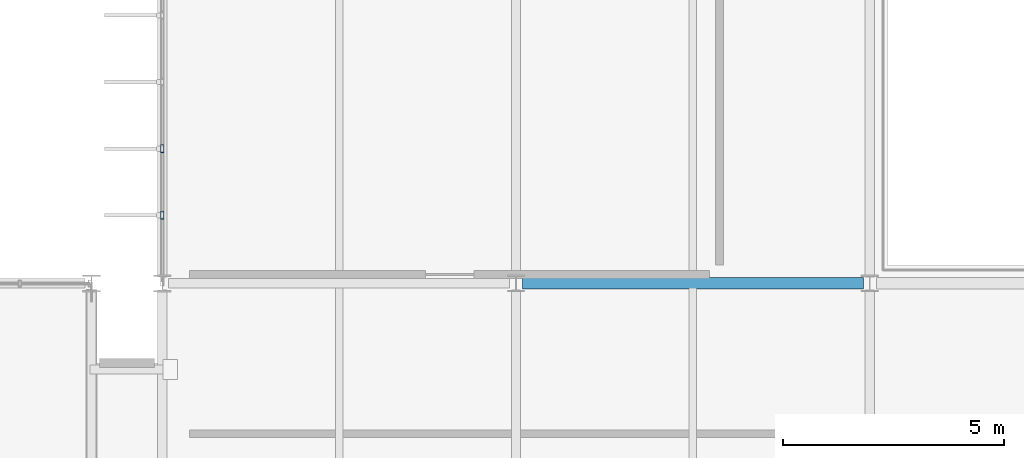
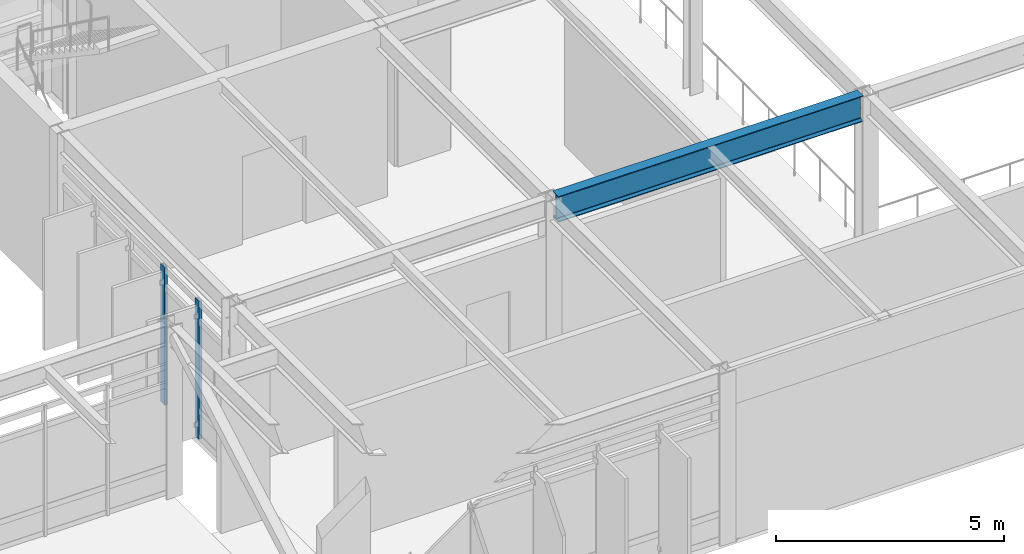
# One storey, part 37 of 104: 2 members, 1 beam, 1 element without a shape of its own.
"""IFC4 building model written with IfcOpenShell, lengths in metres."""

from ifc_helpers import new_model, si_unit, direction, frame, origin, origin_2d, place, context, subcontext, project, spatial, hollow_rectangle, i_section, extrude, material, material_profile, profile_set, type_object, element, aggregate, save


model = new_model("IFC4")

# Units and contexts
model_context = context("Model", 3, precision=1e-05, world=origin(), true_north=direction((0.0, 1.0)))
body_context = subcontext(model_context, "Body", "Model", "MODEL_VIEW")
ifc_project = project(units=[si_unit("LENGTHUNIT", "METRE"), si_unit("AREAUNIT", "SQUARE_METRE"), si_unit("VOLUMEUNIT", "CUBIC_METRE"), si_unit("PLANEANGLEUNIT", "RADIAN"), si_unit("MASSUNIT", "GRAM", prefix="KILO")], contexts=[model_context])

# Site, building, storey
site_placement = place(None, origin())
site = spatial("IfcSite", under=ifc_project, at=site_placement, CompositionType="ELEMENT")
building_placement = place(site_placement, origin())
building = spatial("IfcBuilding", under=site, at=building_placement, Name="Zulena Civic Courthouse", CompositionType="ELEMENT")
storey_placement = place(building_placement, frame((0.0, 0.0, 15.60009765625)))
storey = spatial("IfcBuildingStorey", under=building, at=storey_placement, Name="L03", CompositionType="ELEMENT", Elevation=15.60009765625)

# Curtain wall, members
ifc_material_1 = material(Name="Double-silver low-E laminated solar-control glass", Category="glass")
curtain_wall_type = type_object("IfcCurtainWallType", Name="CW_7528x3690", PredefinedType="USERDEFINED", material=ifc_material_1)
curtain_wall_placement = place(storey_placement, origin())
curtain_wall = element("IfcCurtainWall", 1, at=curtain_wall_placement, inside=storey, type_object=curtain_wall_type, Name="cw:V4:L03:0:1", ObjectType="UNITISED CURTAIN WALL", PredefinedType="USERDEFINED")
ifc_material_2 = material(Name="Bronze anodised thermally broken aluminium AA6063-T6", Category="aluminium")
ifc_material_profile_1 = material_profile(ifc_material_2, hollow_rectangle(XDim=0.074951171875, YDim=0.179931640625, WallThickness=0.0048828125, at=origin_2d()), Name="CWM180X75X5")
ifc_profile_set_1 = profile_set([ifc_material_profile_1], Name="Bronze anodised thermally broken aluminium AA6063-T6")
member_type = type_object("IfcMemberType", Name="CWMullion_180x75", PredefinedType="MULLION", material=ifc_profile_set_1)
member_1_placement = place(storey_placement, frame((68.0, 24.341552734375, 0.0), z_axis=(0.0, 0.0, 1.0), x_axis=(1.0, 0.0, 0.0)))
member_1 = element("IfcMember", 2, at=member_1_placement, type_object=member_type, Name="cw:V4:L03:0:1:mull:1", PredefinedType="MULLION", context=body_context, shape_type="SweptSolid", body=[
    extrude(hollow_rectangle(XDim=0.074951171875, YDim=0.179931640625, WallThickness=0.0048828125, at=origin_2d()), origin(), (0.0, 0.0, 1.0), 3.68994140625),
])
member_2_placement = place(storey_placement, frame((68.0, 25.84716796875, 0.0), z_axis=(0.0, 0.0, 1.0), x_axis=(1.0, 0.0, 0.0)))
member_2 = element("IfcMember", 3, at=member_2_placement, type_object=member_type, Name="cw:V4:L03:0:1:mull:2", PredefinedType="MULLION", context=body_context, shape_type="SweptSolid", body=[
    extrude(hollow_rectangle(XDim=0.074951171875, YDim=0.179931640625, WallThickness=0.0048828125, at=origin_2d()), origin(), (0.0, 0.0, 1.0), 3.68994140625),
])
aggregate(curtain_wall, [member_1, member_2])

# Beam
ifc_material_3 = material(Name="Steel ASTM A992 Grade 50", Category="steel")
ifc_material_profile_2 = material_profile(ifc_material_3, i_section(OverallWidth=0.25390625, OverallDepth=0.68798828125, WebThickness=0.01318359375, FlangeThickness=0.02099609375, FilletRadius=0.0166015625, at=origin_2d()), Name="W27X102")
ifc_profile_set_2 = profile_set([ifc_material_profile_2], Name="Steel ASTM A992 Grade 50")
beam_type = type_object("IfcBeamType", Name="Girder_W27X102", PredefinedType="BEAM", material=ifc_profile_set_2)
beam_placement = place(storey_placement, frame((76.14501953125, 22.800048828125, 4.245849609375), z_axis=(1.0, 0.0, 0.0), x_axis=(0.0, 1.0, 0.0)))
element("IfcBeam", 4, at=beam_placement, inside=storey, type_object=beam_type, Name="beam:X:V4:L03:22.8:76.0_84.0", PredefinedType="BEAM", context=body_context, shape_type="SweptSolid", body=[
    extrude(i_section(OverallWidth=0.25390625, OverallDepth=0.68798828125, WebThickness=0.01318359375, FlangeThickness=0.02099609375, FilletRadius=0.0166015625, at=origin_2d()), origin(), (0.0, 0.0, 1.0), 7.7099609375),
])

save(model, "model.ifc")
